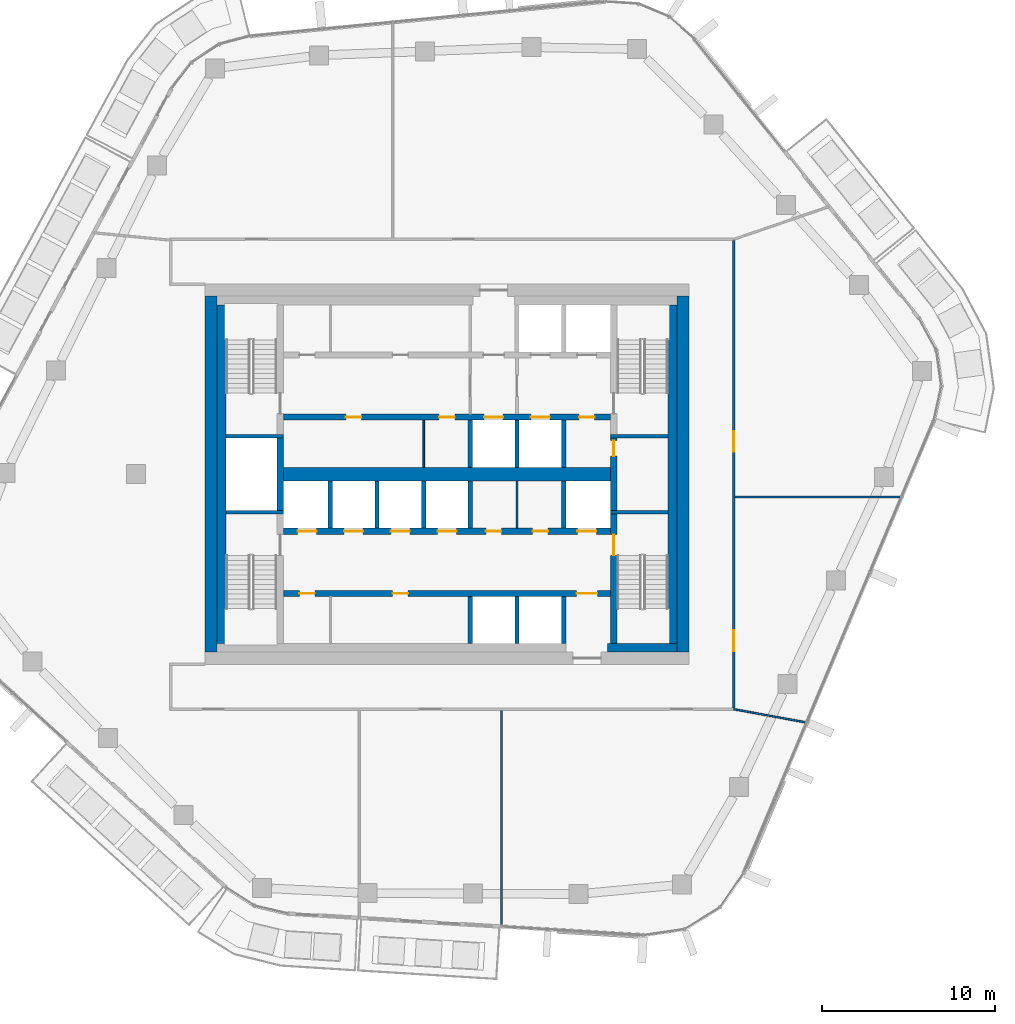
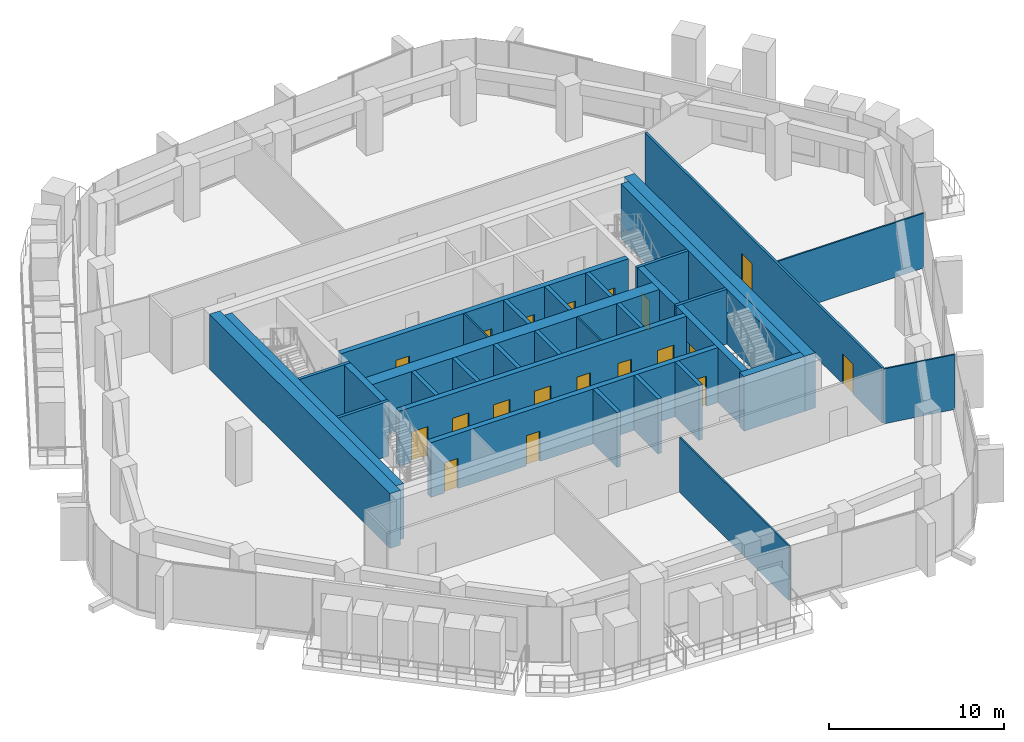
# One storey, part 12 of 20: 33 walls, 19 doors, 19 openings.
"""IFC4 building model written with IfcOpenShell, lengths in metres."""

from ifc_helpers import new_model, si_unit, direction, frame, frame_2d, origin, place, context, subcontext, project, spatial, rectangle, extrude, material, layer, layer_set, type_object, element, fill, save


model = new_model("IFC4")

# Units and contexts
model_context = context("Model", 3, precision=1e-05, world=origin(), true_north=direction((0.0, 1.0)))
body_context = subcontext(model_context, "Body", "Model", "MODEL_VIEW")
ifc_project = project(units=[si_unit("LENGTHUNIT", "METRE"), si_unit("AREAUNIT", "SQUARE_METRE"), si_unit("VOLUMEUNIT", "CUBIC_METRE"), si_unit("PLANEANGLEUNIT", "RADIAN"), si_unit("MASSUNIT", "GRAM", prefix="KILO")], contexts=[model_context])

# Site, building, storey
site_placement = place(None, origin())
site = spatial("IfcSite", under=ifc_project, at=site_placement, CompositionType="ELEMENT")
building_placement = place(site_placement, origin())
building = spatial("IfcBuilding", under=site, at=building_placement, Name="Dongbaek Canopy Tower", CompositionType="ELEMENT")
storey_placement = place(building_placement, frame((0.0, 0.0, 262.199951171875)))
storey = spatial("IfcBuildingStorey", under=building, at=storey_placement, Name="L55", CompositionType="ELEMENT", Elevation=262.199951171875)

# Wall
ifc_material_1 = material(Name="Concrete C60/75", Category="concrete")
ifc_layer_1 = layer(ifc_material_1, 0.800048828125)
ifc_layer_set_1 = layer_set([ifc_layer_1], Name="Core central wall 800 Concrete C60/75")
wall_type_1 = type_object("IfcWallType", Name="Core central wall 800 Concrete C60/75", PredefinedType="SHEAR", material=ifc_layer_set_1)
wall_1_placement = place(storey_placement, frame((-9.449951171875, 0.0, 0.0), z_axis=(0.0, 0.0, 1.0), x_axis=(1.0, 0.0, 0.0)))
element("IfcWall", 1, at=wall_1_placement, inside=storey, type_object=wall_type_1, Name="Core wall", PredefinedType="SHEAR", context=body_context, shape_type="SweptSolid", body=[
    extrude(rectangle(XDim=18.89990234375, YDim=0.800048828125, at=frame_2d((9.449951171875, 0.0))), origin(), (0.0, 0.0, 1.0), 3.820068359375),
])

# Wall, openings, doors
ifc_material_2 = material(Name="Concrete C60/75", Category="concrete")
ifc_layer_2 = layer(ifc_material_2, 0.35009765625)
ifc_layer_set_2 = layer_set([ifc_layer_2], Name="Core lobby wall 350 Concrete C60/75")
wall_type_2 = type_object("IfcWallType", Name="Core lobby wall 350 Concrete C60/75", PredefinedType="SHEAR", material=ifc_layer_set_2)
wall_2_placement = place(storey_placement, frame((9.449951171875, 3.300048828125, 0.0), z_axis=(0.0, 0.0, 1.0), x_axis=(-1.0, 0.0, 0.0)))
wall_2 = element("IfcWall", 2, at=wall_2_placement, inside=storey, type_object=wall_type_2, Name="Core wall", PredefinedType="SHEAR", context=body_context, shape_type="SweptSolid", body=[
    extrude(rectangle(XDim=18.89990234375, YDim=0.35009765625, at=frame_2d((9.449951171875, 0.0))), origin(), (0.0, 0.0, 1.0), 3.820068359375),
])
opening_1_placement = place(wall_2_placement, frame((6.199951171875, 0.0, 0.0)))
opening_1 = element("IfcOpeningElement", 3, at=opening_1_placement, cuts=wall_2, Name="Opening L55-D013", PredefinedType="OPENING", context=body_context, shape_type="SweptSolid", body=[
    extrude(rectangle(XDim=1.10009765625, YDim=2.10009765625, at=frame_2d((0.550048828125, 1.050048828125))), frame((0.0, 0.18505859375, 0.0), z_axis=(0.0, -1.0, 0.0), x_axis=(1.0, 0.0, 0.0)), (0.0, 0.0, 1.0), 0.3701171875),
])
opening_2_placement = place(wall_2_placement, frame((3.5, 0.0, 0.0)))
opening_2 = element("IfcOpeningElement", 4, at=opening_2_placement, cuts=wall_2, Name="Opening L55-D014", PredefinedType="OPENING", context=body_context, shape_type="SweptSolid", body=[
    extrude(rectangle(XDim=1.10009765625, YDim=2.10009765625, at=frame_2d((0.550048828125, 1.050048828125))), frame((0.0, 0.18505859375, 0.0), z_axis=(0.0, -1.0, 0.0), x_axis=(1.0, 0.0, 0.0)), (0.0, 0.0, 1.0), 0.3701171875),
])
opening_3_placement = place(wall_2_placement, frame((0.89990234375, 0.0, 0.0)))
opening_3 = element("IfcOpeningElement", 5, at=opening_3_placement, cuts=wall_2, Name="Opening L55-D015", PredefinedType="OPENING", context=body_context, shape_type="SweptSolid", body=[
    extrude(rectangle(XDim=0.89990234375, YDim=2.10009765625, at=frame_2d((0.449951171875, 1.050048828125))), frame((0.0, 0.18505859375, 0.0), z_axis=(0.0, -1.0, 0.0), x_axis=(1.0, 0.0, 0.0)), (0.0, 0.0, 1.0), 0.3701171875),
])
opening_4_placement = place(wall_2_placement, frame((14.39990234375, 0.0, 0.0)))
opening_4 = element("IfcOpeningElement", 6, at=opening_4_placement, cuts=wall_2, Name="Opening L55-D025", PredefinedType="OPENING", context=body_context, shape_type="SweptSolid", body=[
    extrude(rectangle(XDim=0.89990234375, YDim=2.10009765625, at=frame_2d((0.449951171875, 1.050048828125))), frame((0.0, 0.18505859375, 0.0), z_axis=(0.0, -1.0, 0.0), x_axis=(1.0, 0.0, 0.0)), (0.0, 0.0, 1.0), 0.3701171875),
])
opening_5_placement = place(wall_2_placement, frame((9.0, 0.0, 0.0)))
opening_5 = element("IfcOpeningElement", 7, at=opening_5_placement, cuts=wall_2, Name="Opening L55-D026", PredefinedType="OPENING", context=body_context, shape_type="SweptSolid", body=[
    extrude(rectangle(XDim=0.89990234375, YDim=2.10009765625, at=frame_2d((0.449951171875, 1.050048828125))), frame((0.0, 0.18505859375, 0.0), z_axis=(0.0, -1.0, 0.0), x_axis=(1.0, 0.0, 0.0)), (0.0, 0.0, 1.0), 0.3701171875),
])
ifc_material_3 = material(Name="Steel", Category="steel")
door_type_1 = type_object("IfcDoorType", Name="Core room door 900 x 2100", OperationType="SINGLE_SWING_LEFT", PredefinedType="DOOR", material=ifc_material_3)
door_1_placement = place(opening_3_placement, origin())
door_1 = element("IfcDoor", 8, at=door_1_placement, inside=storey, type_object=door_type_1, Name="Door L55-D015", OperationType="SINGLE_SWING_LEFT", OverallHeight=2.10009765625, OverallWidth=0.89990234375, PredefinedType="DOOR", context=body_context, shape_type="SweptSolid", body=[
    extrude(rectangle(XDim=0.89990234375, YDim=2.10009765625, at=frame_2d((0.449951171875, 1.050048828125))), frame((0.0, 0.02490234375, 0.0), z_axis=(0.0, -1.0, 0.0), x_axis=(1.0, 0.0, 0.0)), (0.0, 0.0, 1.0), 0.050048828125),
])
fill(opening_3, door_1)
door_2_placement = place(opening_4_placement, origin())
door_2 = element("IfcDoor", 9, at=door_2_placement, inside=storey, type_object=door_type_1, Name="Door L55-D025", OperationType="SINGLE_SWING_RIGHT", OverallHeight=2.10009765625, OverallWidth=0.89990234375, PredefinedType="DOOR", context=body_context, shape_type="SweptSolid", body=[
    extrude(rectangle(XDim=0.89990234375, YDim=2.10009765625, at=frame_2d((0.449951171875, 1.050048828125))), frame((0.0, 0.02490234375, 0.0), z_axis=(0.0, -1.0, 0.0), x_axis=(1.0, 0.0, 0.0)), (0.0, 0.0, 1.0), 0.050048828125),
])
fill(opening_4, door_2)
door_3_placement = place(opening_5_placement, origin())
door_3 = element("IfcDoor", 10, at=door_3_placement, inside=storey, type_object=door_type_1, Name="Door L55-D026", OperationType="SINGLE_SWING_LEFT", OverallHeight=2.10009765625, OverallWidth=0.89990234375, PredefinedType="DOOR", context=body_context, shape_type="SweptSolid", body=[
    extrude(rectangle(XDim=0.89990234375, YDim=2.10009765625, at=frame_2d((0.449951171875, 1.050048828125))), frame((0.0, 0.02490234375, 0.0), z_axis=(0.0, -1.0, 0.0), x_axis=(1.0, 0.0, 0.0)), (0.0, 0.0, 1.0), 0.050048828125),
])
fill(opening_5, door_3)
ifc_material_4 = material(Name="Stainless steel", Category="steel")
door_type_2 = type_object("IfcDoorType", Name="Lift landing door 1100 x 2100", OperationType="DOUBLE_DOOR_SLIDING", PredefinedType="DOOR", material=ifc_material_4)
door_4_placement = place(opening_1_placement, origin())
door_4 = element("IfcDoor", 11, at=door_4_placement, inside=storey, type_object=door_type_2, Name="Landing door SV1", OperationType="DOUBLE_DOOR_SLIDING", OverallHeight=2.10009765625, OverallWidth=1.10009765625, PredefinedType="DOOR", context=body_context, shape_type="SweptSolid", body=[
    extrude(rectangle(XDim=1.10009765625, YDim=2.10009765625, at=frame_2d((0.550048828125, 1.050048828125))), frame((0.0, 0.02490234375, 0.0), z_axis=(0.0, -1.0, 0.0), x_axis=(1.0, 0.0, 0.0)), (0.0, 0.0, 1.0), 0.050048828125),
])
fill(opening_1, door_4)
door_5_placement = place(opening_2_placement, origin())
door_5 = element("IfcDoor", 12, at=door_5_placement, inside=storey, type_object=door_type_2, Name="Landing door FF3", OperationType="DOUBLE_DOOR_SLIDING", OverallHeight=2.10009765625, OverallWidth=1.10009765625, PredefinedType="DOOR", context=body_context, shape_type="SweptSolid", body=[
    extrude(rectangle(XDim=1.10009765625, YDim=2.10009765625, at=frame_2d((0.550048828125, 1.050048828125))), frame((0.0, 0.02490234375, 0.0), z_axis=(0.0, -1.0, 0.0), x_axis=(1.0, 0.0, 0.0)), (0.0, 0.0, 1.0), 0.050048828125),
])
fill(opening_2, door_5)

wall_3_placement = place(storey_placement, frame((-9.449951171875, -3.300048828125, 0.0), z_axis=(0.0, 0.0, 1.0), x_axis=(1.0, 0.0, 0.0)))
wall_3 = element("IfcWall", 13, at=wall_3_placement, inside=storey, type_object=wall_type_2, Name="Core wall", PredefinedType="SHEAR", context=body_context, shape_type="SweptSolid", body=[
    extrude(rectangle(XDim=18.89990234375, YDim=0.35009765625, at=frame_2d((9.449951171875, 0.0))), origin(), (0.0, 0.0, 1.0), 3.820068359375),
])
opening_6_placement = place(wall_3_placement, frame((0.800048828125, 0.0, 0.0)))
opening_6 = element("IfcOpeningElement", 14, at=opening_6_placement, cuts=wall_3, Name="Opening L55-D016", PredefinedType="OPENING", context=body_context, shape_type="SweptSolid", body=[
    extrude(rectangle(XDim=1.10009765625, YDim=2.10009765625, at=frame_2d((0.550048828125, 1.050048828125))), frame((0.0, 0.18505859375, 0.0), z_axis=(0.0, -1.0, 0.0), x_axis=(1.0, 0.0, 0.0)), (0.0, 0.0, 1.0), 0.3701171875),
])
opening_7_placement = place(wall_3_placement, frame((3.5, 0.0, 0.0)))
opening_7 = element("IfcOpeningElement", 15, at=opening_7_placement, cuts=wall_3, Name="Opening L55-D017", PredefinedType="OPENING", context=body_context, shape_type="SweptSolid", body=[
    extrude(rectangle(XDim=1.10009765625, YDim=2.10009765625, at=frame_2d((0.550048828125, 1.050048828125))), frame((0.0, 0.18505859375, 0.0), z_axis=(0.0, -1.0, 0.0), x_axis=(1.0, 0.0, 0.0)), (0.0, 0.0, 1.0), 0.3701171875),
])
opening_8_placement = place(wall_3_placement, frame((6.199951171875, 0.0, 0.0)))
opening_8 = element("IfcOpeningElement", 16, at=opening_8_placement, cuts=wall_3, Name="Opening L55-D018", PredefinedType="OPENING", context=body_context, shape_type="SweptSolid", body=[
    extrude(rectangle(XDim=1.10009765625, YDim=2.10009765625, at=frame_2d((0.550048828125, 1.050048828125))), frame((0.0, 0.18505859375, 0.0), z_axis=(0.0, -1.0, 0.0), x_axis=(1.0, 0.0, 0.0)), (0.0, 0.0, 1.0), 0.3701171875),
])
opening_9_placement = place(wall_3_placement, frame((8.89990234375, 0.0, 0.0)))
opening_9 = element("IfcOpeningElement", 17, at=opening_9_placement, cuts=wall_3, Name="Opening L55-D019", PredefinedType="OPENING", context=body_context, shape_type="SweptSolid", body=[
    extrude(rectangle(XDim=1.10009765625, YDim=2.10009765625, at=frame_2d((0.550048828125, 1.050048828125))), frame((0.0, 0.18505859375, 0.0), z_axis=(0.0, -1.0, 0.0), x_axis=(1.0, 0.0, 0.0)), (0.0, 0.0, 1.0), 0.3701171875),
])
opening_10_placement = place(wall_3_placement, frame((17.0, 0.0, 0.0)))
opening_10 = element("IfcOpeningElement", 18, at=opening_10_placement, cuts=wall_3, Name="Opening L55-D020", PredefinedType="OPENING", context=body_context, shape_type="SweptSolid", body=[
    extrude(rectangle(XDim=1.10009765625, YDim=2.10009765625, at=frame_2d((0.550048828125, 1.050048828125))), frame((0.0, 0.18505859375, 0.0), z_axis=(0.0, -1.0, 0.0), x_axis=(1.0, 0.0, 0.0)), (0.0, 0.0, 1.0), 0.3701171875),
])
opening_11_placement = place(wall_3_placement, frame((11.699951171875, 0.0, 0.0)))
opening_11 = element("IfcOpeningElement", 19, at=opening_11_placement, cuts=wall_3, Name="Opening L55-D027", PredefinedType="OPENING", context=body_context, shape_type="SweptSolid", body=[
    extrude(rectangle(XDim=0.89990234375, YDim=2.10009765625, at=frame_2d((0.449951171875, 1.050048828125))), frame((0.0, 0.18505859375, 0.0), z_axis=(0.0, -1.0, 0.0), x_axis=(1.0, 0.0, 0.0)), (0.0, 0.0, 1.0), 0.3701171875),
])
opening_12_placement = place(wall_3_placement, frame((14.39990234375, 0.0, 0.0)))
opening_12 = element("IfcOpeningElement", 20, at=opening_12_placement, cuts=wall_3, Name="Opening L55-D028", PredefinedType="OPENING", context=body_context, shape_type="SweptSolid", body=[
    extrude(rectangle(XDim=0.89990234375, YDim=2.10009765625, at=frame_2d((0.449951171875, 1.050048828125))), frame((0.0, 0.18505859375, 0.0), z_axis=(0.0, -1.0, 0.0), x_axis=(1.0, 0.0, 0.0)), (0.0, 0.0, 1.0), 0.3701171875),
])
door_6_placement = place(opening_11_placement, origin())
door_6 = element("IfcDoor", 21, at=door_6_placement, inside=storey, type_object=door_type_1, Name="Door L55-D027", OperationType="SINGLE_SWING_RIGHT", OverallHeight=2.10009765625, OverallWidth=0.89990234375, PredefinedType="DOOR", context=body_context, shape_type="SweptSolid", body=[
    extrude(rectangle(XDim=0.89990234375, YDim=2.10009765625, at=frame_2d((0.449951171875, 1.050048828125))), frame((0.0, 0.02490234375, 0.0), z_axis=(0.0, -1.0, 0.0), x_axis=(1.0, 0.0, 0.0)), (0.0, 0.0, 1.0), 0.050048828125),
])
fill(opening_11, door_6)
door_7_placement = place(opening_12_placement, origin())
door_7 = element("IfcDoor", 22, at=door_7_placement, inside=storey, type_object=door_type_1, Name="Door L55-D028", OperationType="SINGLE_SWING_LEFT", OverallHeight=2.10009765625, OverallWidth=0.89990234375, PredefinedType="DOOR", context=body_context, shape_type="SweptSolid", body=[
    extrude(rectangle(XDim=0.89990234375, YDim=2.10009765625, at=frame_2d((0.449951171875, 1.050048828125))), frame((0.0, 0.02490234375, 0.0), z_axis=(0.0, -1.0, 0.0), x_axis=(1.0, 0.0, 0.0)), (0.0, 0.0, 1.0), 0.050048828125),
])
fill(opening_12, door_7)
door_8_placement = place(opening_6_placement, origin())
door_8 = element("IfcDoor", 23, at=door_8_placement, inside=storey, type_object=door_type_2, Name="Landing door MR1", OperationType="DOUBLE_DOOR_SLIDING", OverallHeight=2.10009765625, OverallWidth=1.10009765625, PredefinedType="DOOR", context=body_context, shape_type="SweptSolid", body=[
    extrude(rectangle(XDim=1.10009765625, YDim=2.10009765625, at=frame_2d((0.550048828125, 1.050048828125))), frame((0.0, 0.02490234375, 0.0), z_axis=(0.0, -1.0, 0.0), x_axis=(1.0, 0.0, 0.0)), (0.0, 0.0, 1.0), 0.050048828125),
])
fill(opening_6, door_8)
door_9_placement = place(opening_7_placement, origin())
door_9 = element("IfcDoor", 24, at=door_9_placement, inside=storey, type_object=door_type_2, Name="Landing door MR2", OperationType="DOUBLE_DOOR_SLIDING", OverallHeight=2.10009765625, OverallWidth=1.10009765625, PredefinedType="DOOR", context=body_context, shape_type="SweptSolid", body=[
    extrude(rectangle(XDim=1.10009765625, YDim=2.10009765625, at=frame_2d((0.550048828125, 1.050048828125))), frame((0.0, 0.02490234375, 0.0), z_axis=(0.0, -1.0, 0.0), x_axis=(1.0, 0.0, 0.0)), (0.0, 0.0, 1.0), 0.050048828125),
])
fill(opening_7, door_9)
door_10_placement = place(opening_8_placement, origin())
door_10 = element("IfcDoor", 25, at=door_10_placement, inside=storey, type_object=door_type_2, Name="Landing door MR3", OperationType="DOUBLE_DOOR_SLIDING", OverallHeight=2.10009765625, OverallWidth=1.10009765625, PredefinedType="DOOR", context=body_context, shape_type="SweptSolid", body=[
    extrude(rectangle(XDim=1.10009765625, YDim=2.10009765625, at=frame_2d((0.550048828125, 1.050048828125))), frame((0.0, 0.02490234375, 0.0), z_axis=(0.0, -1.0, 0.0), x_axis=(1.0, 0.0, 0.0)), (0.0, 0.0, 1.0), 0.050048828125),
])
fill(opening_8, door_10)
door_11_placement = place(opening_9_placement, origin())
door_11 = element("IfcDoor", 26, at=door_11_placement, inside=storey, type_object=door_type_2, Name="Landing door MR4", OperationType="DOUBLE_DOOR_SLIDING", OverallHeight=2.10009765625, OverallWidth=1.10009765625, PredefinedType="DOOR", context=body_context, shape_type="SweptSolid", body=[
    extrude(rectangle(XDim=1.10009765625, YDim=2.10009765625, at=frame_2d((0.550048828125, 1.050048828125))), frame((0.0, 0.02490234375, 0.0), z_axis=(0.0, -1.0, 0.0), x_axis=(1.0, 0.0, 0.0)), (0.0, 0.0, 1.0), 0.050048828125),
])
fill(opening_9, door_11)
door_12_placement = place(opening_10_placement, origin())
door_12 = element("IfcDoor", 27, at=door_12_placement, inside=storey, type_object=door_type_2, Name="Landing door SV2", OperationType="DOUBLE_DOOR_SLIDING", OverallHeight=2.10009765625, OverallWidth=1.10009765625, PredefinedType="DOOR", context=body_context, shape_type="SweptSolid", body=[
    extrude(rectangle(XDim=1.10009765625, YDim=2.10009765625, at=frame_2d((0.550048828125, 1.050048828125))), frame((0.0, 0.02490234375, 0.0), z_axis=(0.0, -1.0, 0.0), x_axis=(1.0, 0.0, 0.0)), (0.0, 0.0, 1.0), 0.050048828125),
])
fill(opening_10, door_12)

wall_4_placement = place(storey_placement, frame((9.449951171875, -6.89990234375, 0.0), z_axis=(0.0, 0.0, 1.0), x_axis=(-1.0, 0.0, 0.0)))
wall_4 = element("IfcWall", 28, at=wall_4_placement, inside=storey, type_object=wall_type_2, Name="Core wall", PredefinedType="SHEAR", context=body_context, shape_type="SweptSolid", body=[
    extrude(rectangle(XDim=18.89990234375, YDim=0.35009765625, at=frame_2d((9.449951171875, 0.0))), origin(), (0.0, 0.0, 1.0), 3.820068359375),
])
opening_13_placement = place(wall_4_placement, frame((0.75, 0.0, 0.0)))
opening_13 = element("IfcOpeningElement", 29, at=opening_13_placement, cuts=wall_4, Name="Opening L55-D022", PredefinedType="OPENING", context=body_context, shape_type="SweptSolid", body=[
    extrude(rectangle(XDim=1.199951171875, YDim=2.10009765625, at=frame_2d((0.60009765625, 1.050048828125))), frame((0.0, 0.18505859375, 0.0), z_axis=(0.0, -1.0, 0.0), x_axis=(1.0, 0.0, 0.0)), (0.0, 0.0, 1.0), 0.3701171875),
])
opening_14_placement = place(wall_4_placement, frame((17.10009765625, 0.0, 0.0)))
opening_14 = element("IfcOpeningElement", 30, at=opening_14_placement, cuts=wall_4, Name="Opening L55-D029", PredefinedType="OPENING", context=body_context, shape_type="SweptSolid", body=[
    extrude(rectangle(XDim=0.89990234375, YDim=2.10009765625, at=frame_2d((0.449951171875, 1.050048828125))), frame((0.0, 0.18505859375, 0.0), z_axis=(0.0, -1.0, 0.0), x_axis=(1.0, 0.0, 0.0)), (0.0, 0.0, 1.0), 0.3701171875),
])
opening_15_placement = place(wall_4_placement, frame((11.699951171875, 0.0, 0.0)))
opening_15 = element("IfcOpeningElement", 31, at=opening_15_placement, cuts=wall_4, Name="Opening L55-D030", PredefinedType="OPENING", context=body_context, shape_type="SweptSolid", body=[
    extrude(rectangle(XDim=0.89990234375, YDim=2.10009765625, at=frame_2d((0.449951171875, 1.050048828125))), frame((0.0, 0.18505859375, 0.0), z_axis=(0.0, -1.0, 0.0), x_axis=(1.0, 0.0, 0.0)), (0.0, 0.0, 1.0), 0.3701171875),
])
door_13_placement = place(opening_14_placement, origin())
door_13 = element("IfcDoor", 32, at=door_13_placement, inside=storey, type_object=door_type_1, Name="Door L55-D029", OperationType="SINGLE_SWING_RIGHT", OverallHeight=2.10009765625, OverallWidth=0.89990234375, PredefinedType="DOOR", context=body_context, shape_type="SweptSolid", body=[
    extrude(rectangle(XDim=0.89990234375, YDim=2.10009765625, at=frame_2d((0.449951171875, 1.050048828125))), frame((0.0, 0.02490234375, 0.0), z_axis=(0.0, -1.0, 0.0), x_axis=(1.0, 0.0, 0.0)), (0.0, 0.0, 1.0), 0.050048828125),
])
fill(opening_14, door_13)
door_14_placement = place(opening_15_placement, origin())
door_14 = element("IfcDoor", 33, at=door_14_placement, inside=storey, type_object=door_type_1, Name="Door L55-D030", OperationType="SINGLE_SWING_LEFT", OverallHeight=2.10009765625, OverallWidth=0.89990234375, PredefinedType="DOOR", context=body_context, shape_type="SweptSolid", body=[
    extrude(rectangle(XDim=0.89990234375, YDim=2.10009765625, at=frame_2d((0.449951171875, 1.050048828125))), frame((0.0, 0.02490234375, 0.0), z_axis=(0.0, -1.0, 0.0), x_axis=(1.0, 0.0, 0.0)), (0.0, 0.0, 1.0), 0.050048828125),
])
fill(opening_15, door_14)
ifc_material_5 = material(Name="Steel", Category="steel")
door_type_3 = type_object("IfcDoorType", Name="Fire lobby door 1200 x 2100", OperationType="SINGLE_SWING_LEFT", PredefinedType="DOOR", material=ifc_material_5)
door_15_placement = place(opening_13_placement, origin())
door_15 = element("IfcDoor", 34, at=door_15_placement, inside=storey, type_object=door_type_3, Name="Door L55-D022", OperationType="SINGLE_SWING_LEFT", OverallHeight=2.10009765625, OverallWidth=1.199951171875, PredefinedType="DOOR", context=body_context, shape_type="SweptSolid", body=[
    extrude(rectangle(XDim=1.199951171875, YDim=2.10009765625, at=frame_2d((0.60009765625, 1.050048828125))), frame((0.0, 0.02490234375, 0.0), z_axis=(0.0, -1.0, 0.0), x_axis=(1.0, 0.0, 0.0)), (0.0, 0.0, 1.0), 0.050048828125),
])
fill(opening_13, door_15)

# Walls
ifc_material_6 = material(Name="Concrete C70/85", Category="concrete")
ifc_layer_3 = layer(ifc_material_6, 0.699951171875)
ifc_layer_set_3 = layer_set([ifc_layer_3], Name="Core outer wall 700 Concrete C70/85")
wall_type_3 = type_object("IfcWallType", Name="Core outer wall 700 Concrete C70/85", PredefinedType="SHEAR", material=ifc_layer_set_3)
for number, where, z_axis, x_axis, name in (
    (35, (13.64990234375, 10.300048828125, 0.0), (0.0, 0.0, 1.0), (0.0, -1.0, 0.0), "Core wall"),
    (36, (-13.64990234375, -10.300048828125, 0.0), (0.0, 0.0, 1.0), (0.0, 1.0, 0.0), "Core wall"),
):
    element("IfcWall", number, at=place(storey_placement, frame(where, z_axis=z_axis, x_axis=x_axis)), inside=storey, type_object=wall_type_3, Name=name, PredefinedType="SHEAR", context=body_context, shape_type="SweptSolid", body=[
        extrude(rectangle(XDim=20.60009765625, YDim=0.699951171875, at=frame_2d((10.300048828125, 0.0))), origin(), (0.0, 0.0, 1.0), 3.820068359375),
    ])
ifc_material_7 = material(Name="Concrete C60/75", Category="concrete")
ifc_layer_4 = layer(ifc_material_7, 0.5)
ifc_layer_set_4 = layer_set([ifc_layer_4], Name="Core wall lining 500 Concrete C60/75")
wall_type_4 = type_object("IfcWallType", Name="Core wall lining 500 Concrete C60/75", PredefinedType="SHEAR", material=ifc_layer_set_4)
wall_5_placement = place(storey_placement, frame((13.300048828125, -10.050048828125, 0.0), z_axis=(0.0, 0.0, 1.0), x_axis=(-1.0, 0.0, 0.0)))
element("IfcWall", 37, at=wall_5_placement, inside=storey, type_object=wall_type_4, Name="Core wall lining", PredefinedType="SHEAR", context=body_context, shape_type="SweptSolid", body=[
    extrude(rectangle(XDim=4.0, YDim=0.5, at=frame_2d((2.0, 0.0))), origin(), (0.0, 0.0, 1.0), 3.820068359375),
])
for number, where, z_axis, x_axis, name in (
    (38, (13.050048828125, 9.800048828125, 0.0), (0.0, 0.0, 1.0), (0.0, -1.0, 0.0), "Core wall lining"),
    (39, (-13.050048828125, -9.800048828125, 0.0), (0.0, 0.0, 1.0), (0.0, 1.0, 0.0), "Core wall lining"),
):
    element("IfcWall", number, at=place(storey_placement, frame(where, z_axis=z_axis, x_axis=x_axis)), inside=storey, type_object=wall_type_4, Name=name, PredefinedType="SHEAR", context=body_context, shape_type="SweptSolid", body=[
        extrude(rectangle(XDim=19.60009765625, YDim=0.5, at=frame_2d((9.800048828125, 0.0))), origin(), (0.0, 0.0, 1.0), 3.820068359375),
    ])

# Wall, openings, doors
ifc_material_8 = material(Name="Gypsum board partition, steel stud, 2 x 15 mm fire board", Category="steel")
ifc_layer_5 = layer(ifc_material_8, 0.14990234375)
ifc_layer_set_5 = layer_set([ifc_layer_5], Name="Fire-rated partition 150 gypsum board")
wall_type_5 = type_object("IfcWallType", Name="Fire-rated partition 150 gypsum board", PredefinedType="PARTITIONING", material=ifc_layer_set_5)
wall_6_placement = place(storey_placement, frame((16.60009765625, 13.52490234375, 0.0), z_axis=(0.0, 0.0, 1.0), x_axis=(0.0, -1.0, 0.0)))
wall_6 = element("IfcWall", 40, at=wall_6_placement, inside=storey, type_object=wall_type_5, Name="Corridor partition", PredefinedType="PARTITIONING", context=body_context, shape_type="SweptSolid", body=[
    extrude(rectangle(XDim=27.0498046875, YDim=0.14990234375, at=frame_2d((13.52490234375, 0.0))), origin(), (0.0, 0.0, 1.0), 3.820068359375),
])
opening_16_placement = place(wall_6_placement, frame((22.558837890625, 0.0, 0.0)))
opening_16 = element("IfcOpeningElement", 41, at=opening_16_placement, cuts=wall_6, Name="Opening L55-D004", PredefinedType="OPENING", context=body_context, shape_type="SweptSolid", body=[
    extrude(rectangle(XDim=1.199951171875, YDim=2.10009765625, at=frame_2d((0.60009765625, 1.050048828125))), frame((0.0, 0.0849609375, 0.0), z_axis=(0.0, -1.0, 0.0), x_axis=(1.0, 0.0, 0.0)), (0.0, 0.0, 1.0), 0.169921875),
])
opening_17_placement = place(wall_6_placement, frame((11.035888671875, 0.0, 0.0)))
opening_17 = element("IfcOpeningElement", 42, at=opening_17_placement, cuts=wall_6, Name="Opening L55-D005", PredefinedType="OPENING", context=body_context, shape_type="SweptSolid", body=[
    extrude(rectangle(XDim=1.199951171875, YDim=2.10009765625, at=frame_2d((0.60009765625, 1.050048828125))), frame((0.0, 0.0849609375, 0.0), z_axis=(0.0, -1.0, 0.0), x_axis=(1.0, 0.0, 0.0)), (0.0, 0.0, 1.0), 0.169921875),
])
ifc_material_9 = material(Name="Timber veneered door leaf", Category="wood")
door_type_4 = type_object("IfcDoorType", Name="Room door 1200 x 2100", OperationType="SINGLE_SWING_LEFT", PredefinedType="DOOR", material=ifc_material_9)
door_16_placement = place(opening_16_placement, origin())
door_16 = element("IfcDoor", 43, at=door_16_placement, inside=storey, type_object=door_type_4, Name="Door L55-D004", OperationType="SINGLE_SWING_LEFT", OverallHeight=2.10009765625, OverallWidth=1.199951171875, PredefinedType="DOOR", context=body_context, shape_type="SweptSolid", body=[
    extrude(rectangle(XDim=1.199951171875, YDim=2.10009765625, at=frame_2d((0.60009765625, 1.050048828125))), frame((0.0, 0.02490234375, 0.0), z_axis=(0.0, -1.0, 0.0), x_axis=(1.0, 0.0, 0.0)), (0.0, 0.0, 1.0), 0.050048828125),
])
fill(opening_16, door_16)
door_17_placement = place(opening_17_placement, origin())
door_17 = element("IfcDoor", 44, at=door_17_placement, inside=storey, type_object=door_type_4, Name="Door L55-D005", OperationType="SINGLE_SWING_RIGHT", OverallHeight=2.10009765625, OverallWidth=1.199951171875, PredefinedType="DOOR", context=body_context, shape_type="SweptSolid", body=[
    extrude(rectangle(XDim=1.199951171875, YDim=2.10009765625, at=frame_2d((0.60009765625, 1.050048828125))), frame((0.0, 0.02490234375, 0.0), z_axis=(0.0, -1.0, 0.0), x_axis=(1.0, 0.0, 0.0)), (0.0, 0.0, 1.0), 0.050048828125),
])
fill(opening_17, door_17)

# Walls
ifc_material_10 = material(Name="Concrete C40/50", Category="concrete")
ifc_layer_6 = layer(ifc_material_10, 0.25)
ifc_layer_set_6 = layer_set([ifc_layer_6], Name="Lift shaft wall 250 Concrete C40/50")
wall_type_6 = type_object("IfcWallType", Name="Lift shaft wall 250 Concrete C40/50", PredefinedType="SOLIDWALL", material=ifc_layer_set_6)
for number, where, z_axis, x_axis, name in (
    (45, (6.75, -9.800048828125, 0.0), (0.0, 0.0, 1.0), (0.0, 1.0, 0.0), "Lift shaft wall"),
    (46, (6.75, -3.125, 0.0), (0.0, 0.0, 1.0), (0.0, 1.0, 0.0), "Lift shaft wall"),
    (47, (6.75, 0.39990234375, 0.0), (0.0, 0.0, 1.0), (0.0, 1.0, 0.0), "Lift shaft wall"),
    (48, (4.050048828125, -9.800048828125, 0.0), (0.0, 0.0, 1.0), (0.0, 1.0, 0.0), "Lift shaft wall"),
    (49, (4.050048828125, 0.39990234375, 0.0), (0.0, 0.0, 1.0), (0.0, 1.0, 0.0), "Lift shaft wall"),
    (50, (1.35009765625, -9.800048828125, 0.0), (0.0, 0.0, 1.0), (0.0, 1.0, 0.0), "Lift shaft wall"),
    (51, (1.35009765625, -3.125, 0.0), (0.0, 0.0, 1.0), (0.0, 1.0, 0.0), "Lift shaft wall"),
    (52, (1.35009765625, 0.39990234375, 0.0), (0.0, 0.0, 1.0), (0.0, 1.0, 0.0), "Lift shaft wall"),
    (53, (-1.35009765625, -3.125, 0.0), (0.0, 0.0, 1.0), (0.0, 1.0, 0.0), "Lift shaft wall"),
    (54, (-4.050048828125, -3.125, 0.0), (0.0, 0.0, 1.0), (0.0, 1.0, 0.0), "Lift shaft wall"),
    (55, (-6.75, -3.125, 0.0), (0.0, 0.0, 1.0), (0.0, 1.0, 0.0), "Lift shaft wall"),
):
    element("IfcWall", number, at=place(storey_placement, frame(where, z_axis=z_axis, x_axis=x_axis)), inside=storey, type_object=wall_type_6, Name=name, PredefinedType="SOLIDWALL", context=body_context, shape_type="SweptSolid", body=[
        extrude(rectangle(XDim=2.72509765625, YDim=0.25, at=frame_2d((1.362548828125, 0.0))), origin(), (0.0, 0.0, 1.0), 3.820068359375),
    ])
ifc_material_11 = material(Name="Gypsum board partition, steel stud, 2 x 12.5 mm board", Category="steel")
ifc_layer_7 = layer(ifc_material_11, 0.10009765625)
ifc_layer_set_7 = layer_set([ifc_layer_7], Name="Partition 100 gypsum board")
wall_type_7 = type_object("IfcWallType", Name="Partition 100 gypsum board", PredefinedType="PARTITIONING", material=ifc_layer_set_7)
wall_7_placement = place(storey_placement, frame((16.675048828125, -1.31494140625, 0.0), z_axis=(0.0, 0.0, 1.0), x_axis=(1.0, 0.0, 0.0)))
element("IfcWall", 56, at=wall_7_placement, inside=storey, type_object=wall_type_7, Name="Partition", PredefinedType="PARTITIONING", context=body_context, shape_type="SweptSolid", body=[
    extrude(rectangle(XDim=9.625732421875, YDim=0.10009765625, at=frame_2d((4.81298828125, 0.0))), origin(), (0.0, 0.0, 1.0), 3.820068359375),
])
wall_8_placement = place(storey_placement, frame((3.14697265625, -26.16064453125, 0.0), z_axis=(0.0, 0.0, 1.0), x_axis=(0.0, 1.0, 0.0)))
element("IfcWall", 57, at=wall_8_placement, inside=storey, type_object=wall_type_7, Name="Partition", PredefinedType="PARTITIONING", context=body_context, shape_type="SweptSolid", body=[
    extrude(rectangle(XDim=12.485595703125, YDim=0.10009765625, at=frame_2d((6.24267578125, 0.0))), origin(), (0.0, 0.0, 1.0), 3.820068359375),
])
wall_9_placement = place(storey_placement, frame((16.60009765625, -13.599853515625, 0.0), z_axis=(0.0, 0.0, 1.0), x_axis=(0.983699688502, -0.179819139254, 0.0)))
element("IfcWall", 58, at=wall_9_placement, inside=storey, type_object=wall_type_7, Name="Partition", PredefinedType="PARTITIONING", context=body_context, shape_type="SweptSolid", body=[
    extrude(rectangle(XDim=4.279541015625, YDim=0.10009765625, at=frame_2d((2.1396484375, 0.0))), origin(), (0.0, 0.0, 1.0), 3.820068359375),
])
for number, where, z_axis, x_axis, name in (
    (59, (4.050048828125, -3.125, 0.0), (0.0, 0.0, 1.0), (0.0, 1.0, 0.0), "Core partition"),
    (60, (-1.35009765625, 0.39990234375, 0.0), (0.0, 0.0, 1.0), (0.0, 1.0, 0.0), "Core partition"),
):
    element("IfcWall", number, at=place(storey_placement, frame(where, z_axis=z_axis, x_axis=x_axis)), inside=storey, type_object=wall_type_7, Name=name, PredefinedType="PARTITIONING", context=body_context, shape_type="SweptSolid", body=[
        extrude(rectangle(XDim=2.72509765625, YDim=0.10009765625, at=frame_2d((1.362548828125, 0.0))), origin(), (0.0, 0.0, 1.0), 3.820068359375),
    ])
ifc_material_12 = material(Name="Concrete C60/75", Category="concrete")
ifc_layer_8 = layer(ifc_material_12, 0.199951171875)
ifc_layer_set_8 = layer_set([ifc_layer_8], Name="Riser wall 200 Concrete C60/75")
wall_type_8 = type_object("IfcWallType", Name="Riser wall 200 Concrete C60/75", PredefinedType="SHEAR", material=ifc_layer_set_8)
for number, where, z_axis, x_axis, name in (
    (61, (9.449951171875, 2.199951171875, 0.0), (0.0, 0.0, 1.0), (1.0, 0.0, 0.0), "Riser wall"),
    (62, (-9.449951171875, 2.199951171875, 0.0), (0.0, 0.0, 1.0), (-1.0, 0.0, 0.0), "Riser wall"),
    (63, (9.449951171875, -2.199951171875, 0.0), (0.0, 0.0, 1.0), (1.0, 0.0, 0.0), "Riser wall"),
    (64, (-9.449951171875, -2.199951171875, 0.0), (0.0, 0.0, 1.0), (-1.0, 0.0, 0.0), "Riser wall"),
):
    element("IfcWall", number, at=place(storey_placement, frame(where, z_axis=z_axis, x_axis=x_axis)), inside=storey, type_object=wall_type_8, Name=name, PredefinedType="SHEAR", context=body_context, shape_type="SweptSolid", body=[
        extrude(rectangle(XDim=3.35009765625, YDim=0.199951171875, at=frame_2d((1.675048828125, 0.0))), origin(), (0.0, 0.0, 1.0), 3.820068359375),
    ])

# Wall, opening, door
ifc_material_13 = material(Name="Concrete C60/75", Category="concrete")
ifc_layer_9 = layer(ifc_material_13, 0.39990234375)
ifc_layer_set_9 = layer_set([ifc_layer_9], Name="Stair wall 400 Concrete C60/75")
wall_type_9 = type_object("IfcWallType", Name="Stair wall 400 Concrete C60/75", PredefinedType="SHEAR", material=ifc_layer_set_9)
wall_10_placement = place(storey_placement, frame((9.64990234375, -2.300048828125, 0.0), z_axis=(0.0, 0.0, 1.0), x_axis=(0.0, -1.0, 0.0)))
wall_10 = element("IfcWall", 65, at=wall_10_placement, inside=storey, type_object=wall_type_9, Name="Stair wall", PredefinedType="SHEAR", context=body_context, shape_type="SweptSolid", body=[
    extrude(rectangle(XDim=7.5, YDim=0.39990234375, at=frame_2d((3.75, 0.0))), origin(), (0.0, 0.0, 1.0), 3.820068359375),
])
opening_18_placement = place(wall_10_placement, frame((1.199951171875, 0.0, 0.0)))
opening_18 = element("IfcOpeningElement", 66, at=opening_18_placement, cuts=wall_10, Name="Opening L55-D033", PredefinedType="OPENING", context=body_context, shape_type="SweptSolid", body=[
    extrude(rectangle(XDim=1.199951171875, YDim=2.10009765625, at=frame_2d((0.60009765625, 1.050048828125))), frame((0.0, 0.2099609375, 0.0), z_axis=(0.0, -1.0, 0.0), x_axis=(1.0, 0.0, 0.0)), (0.0, 0.0, 1.0), 0.419921875),
])
ifc_material_14 = material(Name="Steel", Category="steel")
door_type_5 = type_object("IfcDoorType", Name="Stair door 1200 x 2100", OperationType="SINGLE_SWING_LEFT", PredefinedType="DOOR", material=ifc_material_14)
door_18_placement = place(opening_18_placement, origin())
door_18 = element("IfcDoor", 67, at=door_18_placement, inside=storey, type_object=door_type_5, Name="Stair B door", OperationType="SINGLE_SWING_RIGHT", OverallHeight=2.10009765625, OverallWidth=1.199951171875, PredefinedType="DOOR", context=body_context, shape_type="SweptSolid", body=[
    extrude(rectangle(XDim=1.199951171875, YDim=2.10009765625, at=frame_2d((0.60009765625, 1.050048828125))), frame((0.0, 0.02490234375, 0.0), z_axis=(0.0, -1.0, 0.0), x_axis=(1.0, 0.0, 0.0)), (0.0, 0.0, 1.0), 0.050048828125),
])
fill(opening_18, door_18)

wall_11_placement = place(storey_placement, frame((9.64990234375, 2.10009765625, 0.0), z_axis=(0.0, 0.0, 1.0), x_axis=(0.0, -1.0, 0.0)))
wall_11 = element("IfcWall", 68, at=wall_11_placement, inside=storey, type_object=wall_type_9, Name="Stair wall", PredefinedType="SHEAR", context=body_context, shape_type="SweptSolid", body=[
    extrude(rectangle(XDim=4.2001953125, YDim=0.39990234375, at=frame_2d((2.10009765625, 0.0))), origin(), (0.0, 0.0, 1.0), 3.820068359375),
])
opening_19_placement = place(wall_11_placement, frame((0.14990234375, 0.0, 0.0)))
opening_19 = element("IfcOpeningElement", 69, at=opening_19_placement, cuts=wall_11, Name="Opening L55-D008", PredefinedType="OPENING", context=body_context, shape_type="SweptSolid", body=[
    extrude(rectangle(XDim=0.89990234375, YDim=2.10009765625, at=frame_2d((0.449951171875, 1.050048828125))), frame((0.0, 0.2099609375, 0.0), z_axis=(0.0, -1.0, 0.0), x_axis=(1.0, 0.0, 0.0)), (0.0, 0.0, 1.0), 0.419921875),
])
door_19_placement = place(opening_19_placement, origin())
door_19 = element("IfcDoor", 70, at=door_19_placement, inside=storey, type_object=door_type_1, Name="Door L55-D008", OperationType="SINGLE_SWING_RIGHT", OverallHeight=2.10009765625, OverallWidth=0.89990234375, PredefinedType="DOOR", context=body_context, shape_type="SweptSolid", body=[
    extrude(rectangle(XDim=0.89990234375, YDim=2.10009765625, at=frame_2d((0.449951171875, 1.050048828125))), frame((0.0, 0.02490234375, 0.0), z_axis=(0.0, -1.0, 0.0), x_axis=(1.0, 0.0, 0.0)), (0.0, 0.0, 1.0), 0.050048828125),
])
fill(opening_19, door_19)

# Wall
wall_12_placement = place(storey_placement, frame((-9.64990234375, -2.10009765625, 0.0), z_axis=(0.0, 0.0, 1.0), x_axis=(0.0, 1.0, 0.0)))
element("IfcWall", 71, at=wall_12_placement, inside=storey, type_object=wall_type_9, Name="Stair wall", PredefinedType="SHEAR", context=body_context, shape_type="SweptSolid", body=[
    extrude(rectangle(XDim=4.2001953125, YDim=0.39990234375, at=frame_2d((2.10009765625, 0.0))), origin(), (0.0, 0.0, 1.0), 3.820068359375),
])

save(model, "model.ifc")
